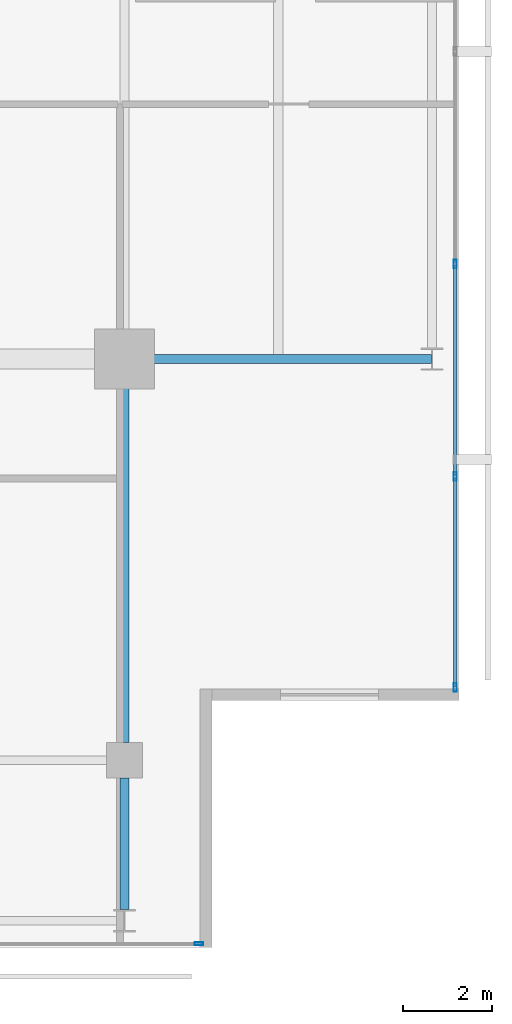
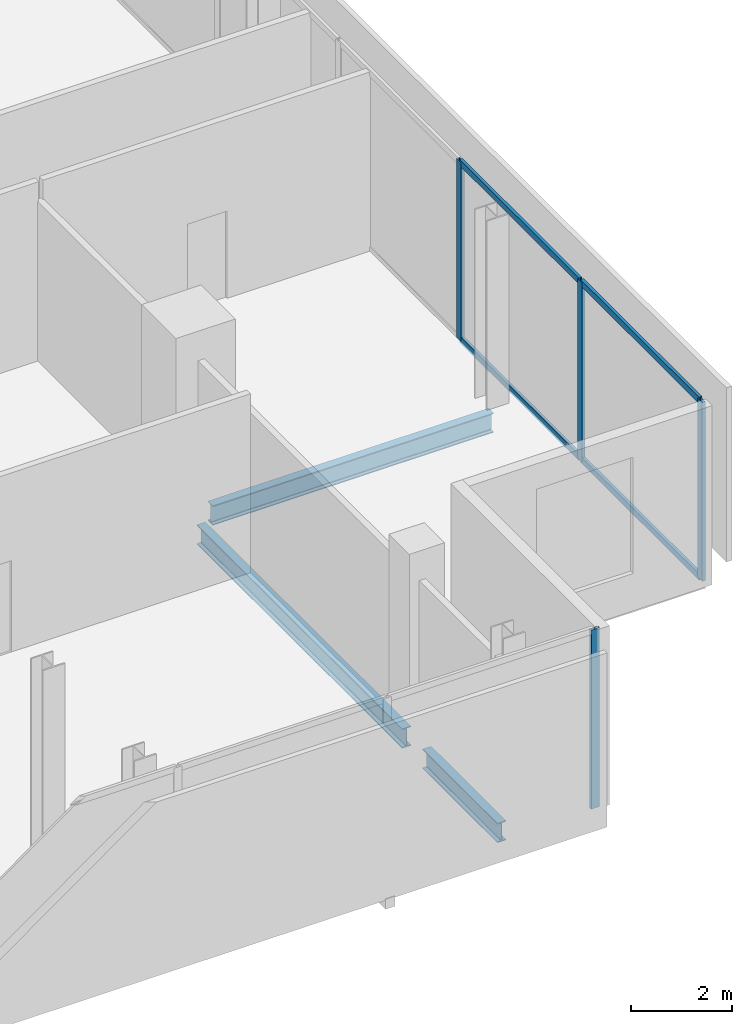
# One storey, part 11 of 23: 8 members, 3 beams, 2 elements without a shape of their own.
"""IFC4 building model written with IfcOpenShell, lengths in metres."""

from ifc_helpers import new_model, si_unit, direction, frame, origin, origin_2d, place, context, subcontext, project, spatial, hollow_rectangle, i_section, extrude, material, layer, layer_set, material_profile, profile_set, type_object, element, aggregate, save


model = new_model("IFC4")

# Units and contexts
model_context = context("Model", 3, precision=1e-05, world=origin(), true_north=direction((0.0, 1.0)))
body_context = subcontext(model_context, "Body", "Model", "MODEL_VIEW")
ifc_project = project(units=[si_unit("LENGTHUNIT", "METRE"), si_unit("AREAUNIT", "SQUARE_METRE"), si_unit("VOLUMEUNIT", "CUBIC_METRE"), si_unit("PLANEANGLEUNIT", "RADIAN"), si_unit("MASSUNIT", "GRAM", prefix="KILO")], contexts=[model_context])

# Site, building, storey
site_placement = place(None, origin())
site = spatial("IfcSite", under=ifc_project, at=site_placement, CompositionType="ELEMENT")
building_placement = place(site_placement, origin())
building = spatial("IfcBuilding", under=site, at=building_placement, Name="Maruvema Waterfront Hotel and Observation Tower", CompositionType="ELEMENT")
storey_placement = place(building_placement, frame((0.0, 0.0, 345.10009765625)))
storey = spatial("IfcBuildingStorey", under=building, at=storey_placement, Name="L85", CompositionType="ELEMENT", Elevation=345.10009765625)

# Curtain wall, members
ifc_material_1 = material(Name="Anodised bronze aluminium and solar-control low-E IGU", Category="aluminium")
ifc_layer = layer(ifc_material_1, 0.159912109375, Name="Observation Crown Structural Glazed Curtain Wall System CW-06")
ifc_layer_set = layer_set([ifc_layer], Name="Anodised bronze aluminium and solar-control low-E IGU")
curtain_wall_type = type_object("IfcCurtainWallType", Name="Observation Crown Structural Glazed Curtain Wall System CW-06", PredefinedType="USERDEFINED", material=ifc_layer_set)
curtain_wall_1_placement = place(storey_placement, origin())
curtain_wall_1 = element("IfcCurtainWall", 1, at=curtain_wall_1_placement, inside=storey, type_object=curtain_wall_type, Name="L85 Curtain Wall CW-L85-E", ObjectType="UNITISED CURTAIN WALL", PredefinedType="USERDEFINED")
ifc_material_2 = material(Name="Anodised architectural bronze aluminium", Category="aluminium")
ifc_material_profile_1 = material_profile(ifc_material_2, hollow_rectangle(XDim=0.070068359375, YDim=0.14990234375, WallThickness=0.00390625, at=origin_2d()), Name="ALU-T70x150")
ifc_profile_set_1 = profile_set([ifc_material_profile_1], Name="Anodised architectural bronze aluminium")
member_type_1 = type_object("IfcMemberType", Name="Curtain Wall Horizontal Transom ALU-T70x150", PredefinedType="USERDEFINED", material=ifc_profile_set_1)
member_1_placement = place(storey_placement, frame((57.820068359375, 19.659912109375, 0.02978515625), z_axis=(0.0, 1.0, 0.0), x_axis=(-1.0, 0.0, 0.0)))
member_1 = element("IfcMember", 2, at=member_1_placement, type_object=member_type_1, Name="CW-06 transom 1.1", ObjectType="TRANSOM", PredefinedType="USERDEFINED", context=body_context, shape_type="SweptSolid", body=[
    extrude(hollow_rectangle(XDim=0.070068359375, YDim=0.14990234375, WallThickness=0.00390625, at=origin_2d()), origin(), (0.0, 0.0, 1.0), 4.6767578125),
])
member_2_placement = place(storey_placement, frame((57.820068359375, 19.659912109375, 4.27978515625), z_axis=(0.0, 1.0, 0.0), x_axis=(-1.0, 0.0, 0.0)))
member_2 = element("IfcMember", 3, at=member_2_placement, type_object=member_type_1, Name="CW-06 transom 1.2", ObjectType="TRANSOM", PredefinedType="USERDEFINED", context=body_context, shape_type="SweptSolid", body=[
    extrude(hollow_rectangle(XDim=0.070068359375, YDim=0.14990234375, WallThickness=0.00390625, at=origin_2d()), origin(), (0.0, 0.0, 1.0), 4.6767578125),
])
member_3_placement = place(storey_placement, frame((57.820068359375, 24.396728515625, 0.02978515625), z_axis=(0.0, 1.0, 0.0), x_axis=(-1.0, 0.0, 0.0)))
member_3 = element("IfcMember", 4, at=member_3_placement, type_object=member_type_1, Name="CW-06 transom 2.1", ObjectType="TRANSOM", PredefinedType="USERDEFINED", context=body_context, shape_type="SweptSolid", body=[
    extrude(hollow_rectangle(XDim=0.070068359375, YDim=0.14990234375, WallThickness=0.00390625, at=origin_2d()), origin(), (0.0, 0.0, 1.0), 4.70654296875),
])
member_4_placement = place(storey_placement, frame((57.820068359375, 24.396728515625, 4.27978515625), z_axis=(0.0, 1.0, 0.0), x_axis=(-1.0, 0.0, 0.0)))
member_4 = element("IfcMember", 5, at=member_4_placement, type_object=member_type_1, Name="CW-06 transom 2.2", ObjectType="TRANSOM", PredefinedType="USERDEFINED", context=body_context, shape_type="SweptSolid", body=[
    extrude(hollow_rectangle(XDim=0.070068359375, YDim=0.14990234375, WallThickness=0.00390625, at=origin_2d()), origin(), (0.0, 0.0, 1.0), 4.70654296875),
])

# Curtain wall, member
curtain_wall_2_placement = place(storey_placement, origin())
curtain_wall_2 = element("IfcCurtainWall", 6, at=curtain_wall_2_placement, inside=storey, type_object=curtain_wall_type, Name="L85 Curtain Wall CW-L85-S", ObjectType="UNITISED CURTAIN WALL", PredefinedType="USERDEFINED")
ifc_material_3 = material(Name="Anodised architectural bronze aluminium", Category="aluminium")
ifc_material_profile_2 = material_profile(ifc_material_3, hollow_rectangle(XDim=0.070068359375, YDim=0.18994140625, WallThickness=0.00390625, at=origin_2d()), Name="ALU-M70x190")
ifc_profile_set_2 = profile_set([ifc_material_profile_2], Name="Anodised architectural bronze aluminium")
member_type_2 = type_object("IfcMemberType", Name="Podium Storefront Heavy Mullion ALU-M70x190", PredefinedType="MULLION", material=ifc_profile_set_2)
member_5_placement = place(storey_placement, frame((52.070068359375, 13.8798828125, 0.0), z_axis=(0.0, 0.0, 1.0), x_axis=(0.0, 1.0, 0.0)))
member_5 = element("IfcMember", 7, at=member_5_placement, type_object=member_type_2, Name="CW-06 mullion 7", PredefinedType="MULLION", context=body_context, shape_type="SweptSolid", body=[
    extrude(hollow_rectangle(XDim=0.070068359375, YDim=0.18994140625, WallThickness=0.00390625, at=origin_2d()), origin(), (0.0, 0.0, 1.0), 4.309814453125),
])
aggregate(curtain_wall_2, [member_5])

# Member
member_6_placement = place(storey_placement, frame((57.820068359375, 19.6298828125, 0.0), z_axis=(0.0, 0.0, 1.0), x_axis=(-1.0, 0.0, 0.0)))
member_6 = element("IfcMember", 8, at=member_6_placement, type_object=member_type_2, Name="CW-06 mullion 1", PredefinedType="MULLION", context=body_context, shape_type="SweptSolid", body=[
    extrude(hollow_rectangle(XDim=0.070068359375, YDim=0.18994140625, WallThickness=0.00390625, at=origin_2d()), origin(), (0.0, 0.0, 1.0), 4.309814453125),
])

member_7_placement = place(storey_placement, frame((57.820068359375, 24.36669921875, 0.0), z_axis=(0.0, 0.0, 1.0), x_axis=(-1.0, 0.0, 0.0)))
member_7 = element("IfcMember", 9, at=member_7_placement, type_object=member_type_2, Name="CW-06 mullion 2", PredefinedType="MULLION", context=body_context, shape_type="SweptSolid", body=[
    extrude(hollow_rectangle(XDim=0.070068359375, YDim=0.18994140625, WallThickness=0.00390625, at=origin_2d()), origin(), (0.0, 0.0, 1.0), 4.309814453125),
])

member_8_placement = place(storey_placement, frame((57.820068359375, 29.13330078125, 0.0), z_axis=(0.0, 0.0, 1.0), x_axis=(-1.0, 0.0, 0.0)))
member_8 = element("IfcMember", 10, at=member_8_placement, type_object=member_type_2, Name="CW-06 mullion 3", PredefinedType="MULLION", context=body_context, shape_type="SweptSolid", body=[
    extrude(hollow_rectangle(XDim=0.070068359375, YDim=0.18994140625, WallThickness=0.00390625, at=origin_2d()), origin(), (0.0, 0.0, 1.0), 4.309814453125),
])

aggregate(curtain_wall_1, [member_6, member_7, member_8, member_1, member_2, member_3, member_4])

# Beams
ifc_material_4 = material(Name="Steel ASTM A572 Grade 50", Category="steel")
ifc_material_profile_3 = material_profile(ifc_material_4, i_section(OverallWidth=0.194091796875, OverallDepth=0.468994140625, WebThickness=0.0126953125, FlangeThickness=0.0205078125, FilletRadius=0.014892578125, at=origin_2d()), Name="W460x106.0")
ifc_profile_set_3 = profile_set([ifc_material_profile_3], Name="Steel ASTM A572 Grade 50")
beam_type = type_object("IfcBeamType", Name="Primary Floor Girder W460x106.0", PredefinedType="BEAM", material=ifc_profile_set_3)
beam_1_placement = place(storey_placement, frame((50.89990234375, 27.0, -0.474609375), z_axis=(1.0, 0.0, 0.0), x_axis=(0.0, 1.0, 0.0)))
element("IfcBeam", 11, at=beam_1_placement, inside=storey, type_object=beam_type, Name="L85 Floor Girder EW-09", PredefinedType="BEAM", context=body_context, shape_type="SweptSolid", body=[
    extrude(i_section(OverallWidth=0.194091796875, OverallDepth=0.468994140625, WebThickness=0.0126953125, FlangeThickness=0.0205078125, FilletRadius=0.014892578125, at=origin_2d()), origin(), (0.0, 0.0, 1.0), 6.38916015625),
])
beam_2_placement = place(storey_placement, frame((50.39990234375, 14.64990234375, -0.474609375), z_axis=(0.0, 1.0, 0.0), x_axis=(-1.0, 0.0, 0.0)))
element("IfcBeam", 12, at=beam_2_placement, inside=storey, type_object=beam_type, Name="L85 Floor Girder NS-11", PredefinedType="BEAM", context=body_context, shape_type="SweptSolid", body=[
    extrude(i_section(OverallWidth=0.194091796875, OverallDepth=0.468994140625, WebThickness=0.0126953125, FlangeThickness=0.0205078125, FilletRadius=0.014892578125, at=origin_2d()), origin(), (0.0, 0.0, 1.0), 2.9501953125),
])
beam_3_placement = place(storey_placement, frame((50.39990234375, 18.39990234375, -0.474609375), z_axis=(0.0, 1.0, 0.0), x_axis=(-1.0, 0.0, 0.0)))
element("IfcBeam", 13, at=beam_3_placement, inside=storey, type_object=beam_type, Name="L85 Floor Girder NS-12", PredefinedType="BEAM", context=body_context, shape_type="SweptSolid", body=[
    extrude(i_section(OverallWidth=0.194091796875, OverallDepth=0.468994140625, WebThickness=0.0126953125, FlangeThickness=0.0205078125, FilletRadius=0.014892578125, at=origin_2d()), origin(), (0.0, 0.0, 1.0), 8.10009765625),
])

save(model, "model.ifc")
